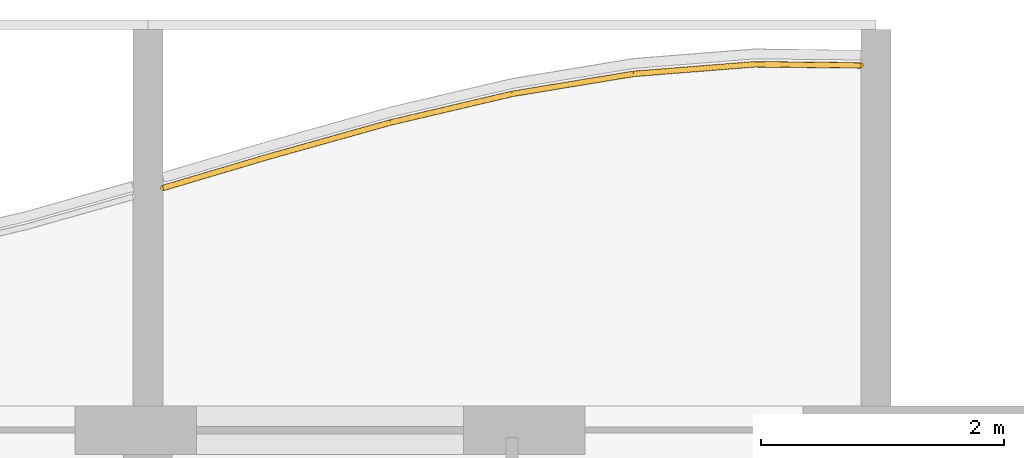
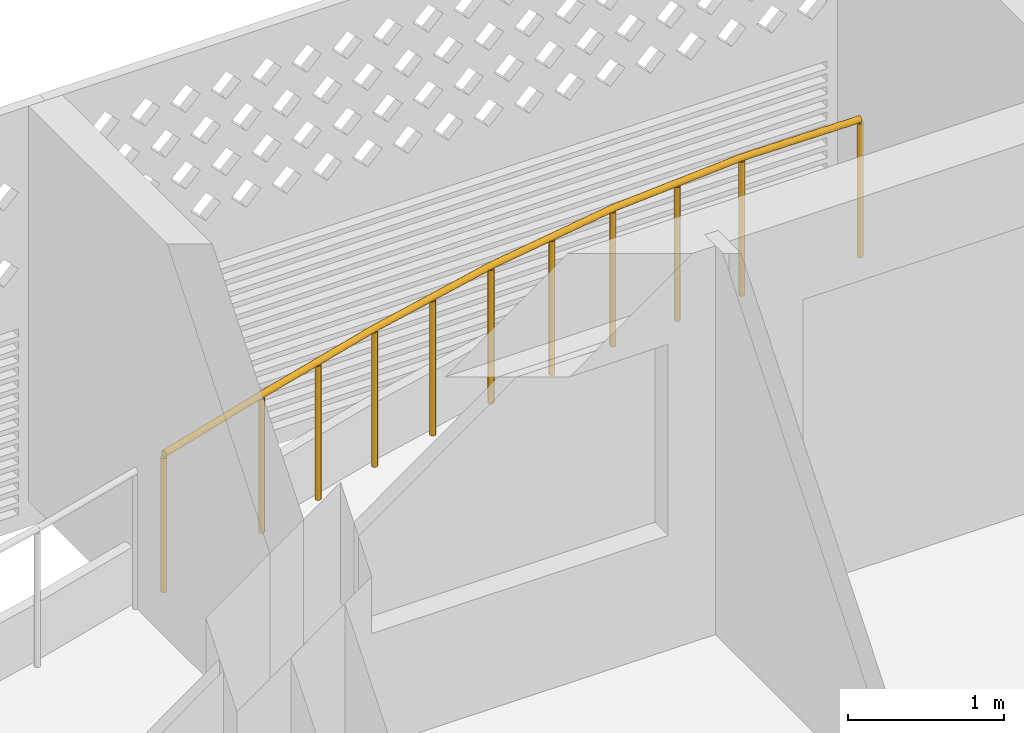
# One storey, part 37 of 38: 1 railing.
"""IFC4 building model written with IfcOpenShell, lengths in metres."""

from ifc_helpers import new_model, si_unit, direction, frame, origin, origin_2d, place, context, subcontext, project, spatial, circle, extrude, material, type_object, element, save


model = new_model("IFC4")

# Units and contexts
model_context = context("Model", 3, precision=1e-05, world=origin(), true_north=direction((0.0, 1.0)))
body_context = subcontext(model_context, "Body", "Model", "MODEL_VIEW")
ifc_project = project(units=[si_unit("LENGTHUNIT", "METRE"), si_unit("AREAUNIT", "SQUARE_METRE"), si_unit("VOLUMEUNIT", "CUBIC_METRE"), si_unit("PLANEANGLEUNIT", "RADIAN"), si_unit("MASSUNIT", "GRAM", prefix="KILO")], contexts=[model_context])

# Site, building, storey
site_placement = place(None, origin())
site = spatial("IfcSite", under=ifc_project, at=site_placement, CompositionType="ELEMENT")
building_placement = place(site_placement, origin())
building = spatial("IfcBuilding", under=site, at=building_placement, Name="Poui Terraces", CompositionType="ELEMENT")
storey_placement = place(building_placement, frame((0.0, 0.0, 46.5)))
storey = spatial("IfcBuildingStorey", under=building, at=storey_placement, Name="L12", CompositionType="ELEMENT", Elevation=46.5)

# Railing
ifc_material = material(Name="Painted steel fretwork", Category="steel")
railing_type = type_object("IfcRailingType", Name="BALCONY GUARD 1100", PredefinedType="GUARDRAIL", material=ifc_material)
railing_placement = place(storey_placement, frame((90.125, 46.7958984375, 0.0)))
element("IfcRailing", 1, at=railing_placement, inside=storey, type_object=railing_type, Name="BALCONY GUARD", PredefinedType="GUARDRAIL", context=body_context, shape_type="SweptSolid", body=[
    extrude(circle(Radius=0.02392578125, at=origin_2d()), frame((0.0, 0.0, 1.076171875), z_axis=(0.958646866278, 0.284598288426, 0.0), x_axis=(-0.284598288426, 0.958646866278, 0.0)), (0.0, 0.0, 1.0), 0.912841796875),
    extrude(circle(Radius=0.02392578125, at=origin_2d()), frame((0.875, 0.259765625, 1.076171875), z_axis=(0.962956694383, 0.269656086049, 0.0), x_axis=(-0.269656086049, 0.962956694383, 0.0)), (0.0, 0.0, 1.0), 1.03857421875),
    extrude(circle(Radius=0.02392578125, at=origin_2d()), frame((1.875, 0.539794921875, 1.076171875), z_axis=(0.973457672279, 0.228867123634, 0.0), x_axis=(-0.228867123634, 0.973457672279, 0.0)), (0.0, 0.0, 1.0), 1.02734375),
    extrude(circle(Radius=0.02392578125, at=origin_2d()), frame((2.875, 0.77490234375, 1.076171875), z_axis=(0.98665309941, 0.162836302539, 0.0), x_axis=(-0.162836302539, 0.98665309941, 0.0)), (0.0, 0.0, 1.0), 1.013427734375),
    extrude(circle(Radius=0.02392578125, at=origin_2d()), frame((3.875, 0.93994140625, 1.076171875), z_axis=(0.996905179889, 0.07861337234, 0.0), x_axis=(-0.07861337234, 0.996905179889, 0.0)), (0.0, 0.0, 1.0), 1.003173828125),
    extrude(circle(Radius=0.02392578125, at=origin_2d()), frame((4.875, 1.018798828125, 1.076171875), z_axis=(0.999949556392, -0.010044136169, 0.0), x_axis=(0.010044136169, 0.999949556392, 0.0)), (0.0, 0.0, 1.0), 0.875),
    extrude(circle(Radius=0.02099609375, at=origin_2d()), origin(), (0.0, 0.0, 1.0), 1.052001953125),
    extrude(circle(Radius=0.02099609375, at=origin_2d()), frame((0.875, 0.259765625, 0.0)), (0.0, 0.0, 1.0), 1.052001953125),
    extrude(circle(Radius=0.02099609375, at=origin_2d()), frame((1.375, 0.39990234375, 0.0)), (0.0, 0.0, 1.0), 1.052001953125),
    extrude(circle(Radius=0.02099609375, at=origin_2d()), frame((1.875, 0.539794921875, 0.0)), (0.0, 0.0, 1.0), 1.052001953125),
    extrude(circle(Radius=0.02099609375, at=origin_2d()), frame((2.375, 0.6572265625, 0.0)), (0.0, 0.0, 1.0), 1.052001953125),
    extrude(circle(Radius=0.02099609375, at=origin_2d()), frame((2.875, 0.77490234375, 0.0)), (0.0, 0.0, 1.0), 1.052001953125),
    extrude(circle(Radius=0.02099609375, at=origin_2d()), frame((3.375, 0.857421875, 0.0)), (0.0, 0.0, 1.0), 1.052001953125),
    extrude(circle(Radius=0.02099609375, at=origin_2d()), frame((3.875, 0.93994140625, 0.0)), (0.0, 0.0, 1.0), 1.052001953125),
    extrude(circle(Radius=0.02099609375, at=origin_2d()), frame((4.375, 0.9794921875, 0.0)), (0.0, 0.0, 1.0), 1.052001953125),
    extrude(circle(Radius=0.02099609375, at=origin_2d()), frame((4.875, 1.018798828125, 0.0)), (0.0, 0.0, 1.0), 1.052001953125),
    extrude(circle(Radius=0.02099609375, at=origin_2d()), frame((5.75, 1.010009765625, 0.0)), (0.0, 0.0, 1.0), 1.052001953125),
])

save(model, "model.ifc")
